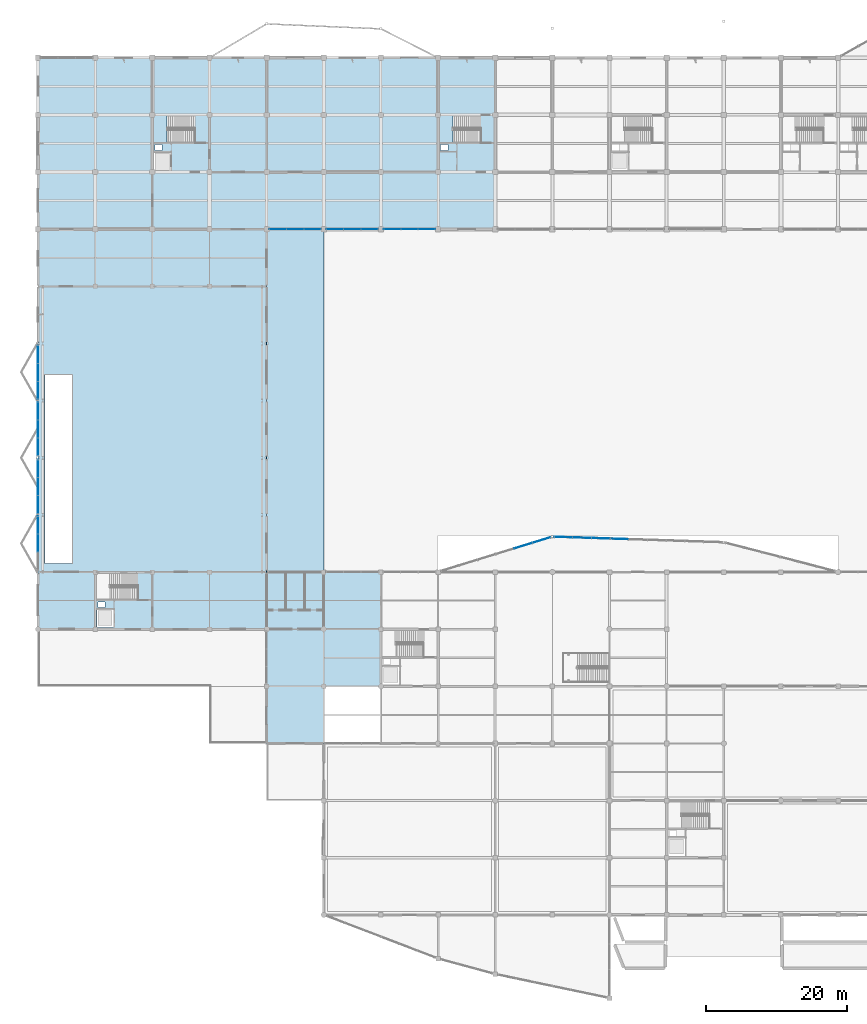
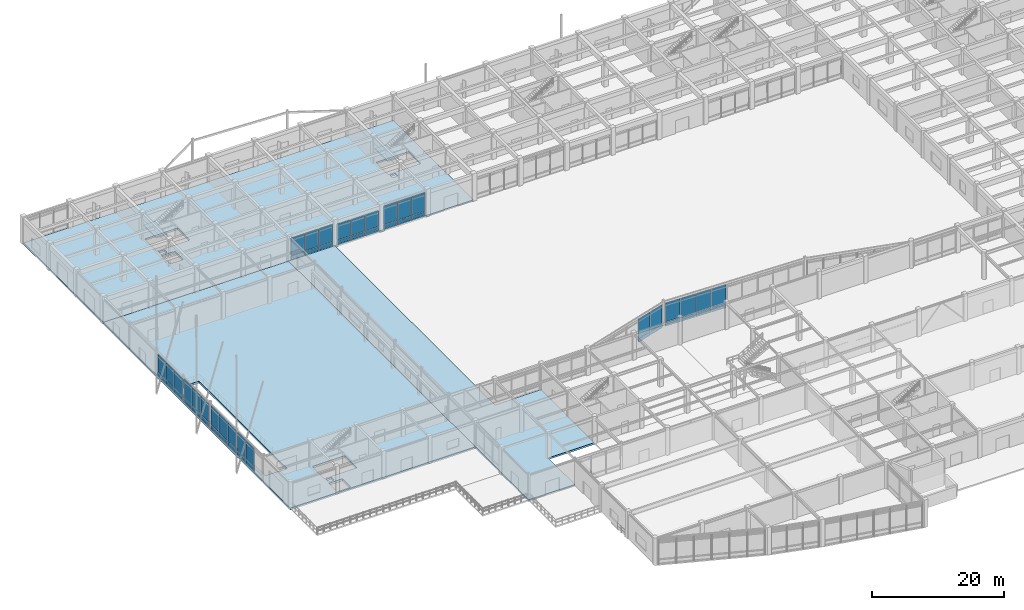
# One storey, part 53 of 99: 52 plates, 5 slabs, 12 elements without a shape of their own.
"""IFC4 building model written with IfcOpenShell, lengths in metres."""

from ifc_helpers import new_model, si_unit, direction, frame, origin, origin_2d, place, context, subcontext, project, spatial, polyline, rectangle, outline, extrude, material, layer, layer_set, type_object, element, aggregate, save


model = new_model("IFC4")

# Units and contexts
model_context = context("Model", 3, precision=1e-05, world=origin(), true_north=direction((0.0, 1.0)))
body_context = subcontext(model_context, "Body", "Model", "MODEL_VIEW")
ifc_project = project(units=[si_unit("LENGTHUNIT", "METRE"), si_unit("AREAUNIT", "SQUARE_METRE"), si_unit("VOLUMEUNIT", "CUBIC_METRE"), si_unit("PLANEANGLEUNIT", "RADIAN"), si_unit("MASSUNIT", "GRAM", prefix="KILO")], contexts=[model_context])

# Site, building, storey
site_placement = place(None, origin())
site = spatial("IfcSite", under=ifc_project, at=site_placement, CompositionType="ELEMENT")
building_placement = place(site_placement, origin())
building = spatial("IfcBuilding", under=site, at=building_placement, Name="Vaudrelin Polytechnic", CompositionType="ELEMENT")
storey_placement = place(building_placement, origin())
storey = spatial("IfcBuildingStorey", under=building, at=storey_placement, Name="L00", CompositionType="ELEMENT", Elevation=0.0)

# Curtain wall, plates
ifc_material_1 = material(Name="Thermally broken anodised aluminium AA 6063-T6 and low-e triple glazing", Category="aluminium")
ifc_layer_1 = layer(ifc_material_1, 0.199951171875)
ifc_layer_set_1 = layer_set([ifc_layer_1], Name="Thermally broken anodised aluminium AA 6063-T6 and low-e triple glazing")
curtain_wall_type_1 = type_object("IfcCurtainWallType", Name="CW-CW-POR", PredefinedType="USERDEFINED", material=ifc_layer_set_1)
curtain_wall_1_placement = place(storey_placement, origin())
curtain_wall_1 = element("IfcCurtainWall", 1, at=curtain_wall_1_placement, inside=storey, type_object=curtain_wall_type_1, Name="Curtain wall L00 W_V1_01", ObjectType="CURTAIN WALL", PredefinedType="USERDEFINED")
ifc_material_2 = material(Name="Insulated ceramic-frit spandrel glass panel", Category="glass")
ifc_layer_2 = layer(ifc_material_2, 0.052001953125)
ifc_layer_set_2 = layer_set([ifc_layer_2], Name="Insulated ceramic-frit spandrel glass panel")
plate_type_1 = type_object("IfcPlateType", Name="PLT-GLZ-SPAND", PredefinedType="CURTAIN_PANEL", material=ifc_layer_set_2)
plate_1_placement = place(storey_placement, frame((0.0, 52.688720703125, 0.08984375), z_axis=(0.0, 0.0, 1.0), x_axis=(0.0, 1.0, 0.0)))
plate_1 = element("IfcPlate", 2, at=plate_1_placement, type_object=plate_type_1, Name="W_V1_01 spandrel panel 2", PredefinedType="CURTAIN_PANEL", context=body_context, shape_type="SweptSolid", body=[
    extrude(rectangle(XDim=2.457763671875, YDim=0.052001953125, at=origin_2d()), origin(), (0.0, 0.0, 1.0), 0.699951171875),
])
plate_2_placement = place(storey_placement, frame((0.0, 55.24658203125, 0.08984375), z_axis=(0.0, 0.0, 1.0), x_axis=(0.0, 1.0, 0.0)))
plate_2 = element("IfcPlate", 3, at=plate_2_placement, type_object=plate_type_1, Name="W_V1_01 spandrel panel 3", PredefinedType="CURTAIN_PANEL", context=body_context, shape_type="SweptSolid", body=[
    extrude(rectangle(XDim=2.457763671875, YDim=0.052001953125, at=origin_2d()), origin(), (0.0, 0.0, 1.0), 0.699951171875),
])

curtain_wall_2_placement = place(storey_placement, origin())
curtain_wall_2 = element("IfcCurtainWall", 4, at=curtain_wall_2_placement, inside=storey, type_object=curtain_wall_type_1, Name="Curtain wall L00 W_V1_02", ObjectType="CURTAIN WALL", PredefinedType="USERDEFINED")
plate_3_placement = place(storey_placement, frame((0.0, 58.1533203125, 0.08984375), z_axis=(0.0, 0.0, 1.0), x_axis=(0.0, 1.0, 0.0)))
plate_3 = element("IfcPlate", 5, at=plate_3_placement, type_object=plate_type_1, Name="W_V1_02 spandrel panel 1", PredefinedType="CURTAIN_PANEL", context=body_context, shape_type="SweptSolid", body=[
    extrude(rectangle(XDim=2.457763671875, YDim=0.052001953125, at=origin_2d()), origin(), (0.0, 0.0, 1.0), 0.699951171875),
])
plate_4_placement = place(storey_placement, frame((0.0, 60.711181640625, 0.08984375), z_axis=(0.0, 0.0, 1.0), x_axis=(0.0, 1.0, 0.0)))
plate_4 = element("IfcPlate", 6, at=plate_4_placement, type_object=plate_type_1, Name="W_V1_02 spandrel panel 2", PredefinedType="CURTAIN_PANEL", context=body_context, shape_type="SweptSolid", body=[
    extrude(rectangle(XDim=2.457763671875, YDim=0.052001953125, at=origin_2d()), origin(), (0.0, 0.0, 1.0), 0.699951171875),
])
plate_5_placement = place(storey_placement, frame((0.0, 63.26904296875, 0.08984375), z_axis=(0.0, 0.0, 1.0), x_axis=(0.0, 1.0, 0.0)))
plate_5 = element("IfcPlate", 7, at=plate_5_placement, type_object=plate_type_1, Name="W_V1_02 spandrel panel 3", PredefinedType="CURTAIN_PANEL", context=body_context, shape_type="SweptSolid", body=[
    extrude(rectangle(XDim=2.457763671875, YDim=0.052001953125, at=origin_2d()), origin(), (0.0, 0.0, 1.0), 0.699951171875),
])

curtain_wall_3_placement = place(storey_placement, origin())
curtain_wall_3 = element("IfcCurtainWall", 8, at=curtain_wall_3_placement, inside=storey, type_object=curtain_wall_type_1, Name="Curtain wall L00 W_V1_03", ObjectType="CURTAIN WALL", PredefinedType="USERDEFINED")
plate_6_placement = place(storey_placement, frame((0.0, 66.330810546875, 0.08984375), z_axis=(0.0, 0.0, 1.0), x_axis=(0.0, 1.0, 0.0)))
plate_6 = element("IfcPlate", 9, at=plate_6_placement, type_object=plate_type_1, Name="W_V1_03 spandrel panel 1", PredefinedType="CURTAIN_PANEL", context=body_context, shape_type="SweptSolid", body=[
    extrude(rectangle(XDim=2.457763671875, YDim=0.052001953125, at=origin_2d()), origin(), (0.0, 0.0, 1.0), 0.699951171875),
])
plate_7_placement = place(storey_placement, frame((0.0, 68.888916015625, 0.08984375), z_axis=(0.0, 0.0, 1.0), x_axis=(0.0, 1.0, 0.0)))
plate_7 = element("IfcPlate", 10, at=plate_7_placement, type_object=plate_type_1, Name="W_V1_03 spandrel panel 2", PredefinedType="CURTAIN_PANEL", context=body_context, shape_type="SweptSolid", body=[
    extrude(rectangle(XDim=2.457763671875, YDim=0.052001953125, at=origin_2d()), origin(), (0.0, 0.0, 1.0), 0.699951171875),
])
plate_8_placement = place(storey_placement, frame((0.0, 71.446533203125, 0.08984375), z_axis=(0.0, 0.0, 1.0), x_axis=(0.0, 1.0, 0.0)))
plate_8 = element("IfcPlate", 11, at=plate_8_placement, type_object=plate_type_1, Name="W_V1_03 spandrel panel 3", PredefinedType="CURTAIN_PANEL", context=body_context, shape_type="SweptSolid", body=[
    extrude(rectangle(XDim=2.457763671875, YDim=0.052001953125, at=origin_2d()), origin(), (0.0, 0.0, 1.0), 0.699951171875),
])

curtain_wall_4_placement = place(storey_placement, origin())
curtain_wall_4 = element("IfcCurtainWall", 12, at=curtain_wall_4_placement, inside=storey, type_object=curtain_wall_type_1, Name="Curtain wall L00 W_V1_04", ObjectType="CURTAIN WALL", PredefinedType="USERDEFINED")
plate_9_placement = place(storey_placement, frame((0.0, 74.353515625, 0.08984375), z_axis=(0.0, 0.0, 1.0), x_axis=(0.0, 1.0, 0.0)))
plate_9 = element("IfcPlate", 13, at=plate_9_placement, type_object=plate_type_1, Name="W_V1_04 spandrel panel 1", PredefinedType="CURTAIN_PANEL", context=body_context, shape_type="SweptSolid", body=[
    extrude(rectangle(XDim=2.457763671875, YDim=0.052001953125, at=origin_2d()), origin(), (0.0, 0.0, 1.0), 0.699951171875),
])
plate_10_placement = place(storey_placement, frame((0.0, 76.9111328125, 0.08984375), z_axis=(0.0, 0.0, 1.0), x_axis=(0.0, 1.0, 0.0)))
plate_10 = element("IfcPlate", 14, at=plate_10_placement, type_object=plate_type_1, Name="W_V1_04 spandrel panel 2", PredefinedType="CURTAIN_PANEL", context=body_context, shape_type="SweptSolid", body=[
    extrude(rectangle(XDim=2.457763671875, YDim=0.052001953125, at=origin_2d()), origin(), (0.0, 0.0, 1.0), 0.699951171875),
])
plate_11_placement = place(storey_placement, frame((0.0, 79.468994140625, 0.08984375), z_axis=(0.0, 0.0, 1.0), x_axis=(0.0, 1.0, 0.0)))
plate_11 = element("IfcPlate", 15, at=plate_11_placement, type_object=plate_type_1, Name="W_V1_04 spandrel panel 3", PredefinedType="CURTAIN_PANEL", context=body_context, shape_type="SweptSolid", body=[
    extrude(rectangle(XDim=2.457763671875, YDim=0.052001953125, at=origin_2d()), origin(), (0.0, 0.0, 1.0), 0.699951171875),
])

ifc_layer_3 = layer(ifc_material_1, 0.199951171875)
ifc_layer_set_3 = layer_set([ifc_layer_3], Name="Thermally broken anodised aluminium AA 6063-T6 and low-e triple glazing")
curtain_wall_type_2 = type_object("IfcCurtainWallType", Name="CW-CW-LIB", PredefinedType="USERDEFINED", material=ifc_layer_set_3)
curtain_wall_5_placement = place(storey_placement, origin())
curtain_wall_5 = element("IfcCurtainWall", 16, at=curtain_wall_5_placement, inside=storey, type_object=curtain_wall_type_2, Name="Curtain wall L00 CT_N_00", ObjectType="CURTAIN WALL", PredefinedType="USERDEFINED")
plate_12_placement = place(storey_placement, frame((33.998779296875, 97.199951171875, 0.08984375), z_axis=(0.0, 0.0, 1.0), x_axis=(1.0, 0.0, 0.0)))
plate_12 = element("IfcPlate", 17, at=plate_12_placement, type_object=plate_type_1, Name="CT_N_00 spandrel panel 1", PredefinedType="CURTAIN_PANEL", context=body_context, shape_type="SweptSolid", body=[
    extrude(rectangle(XDim=2.351318359375, YDim=0.052001953125, at=origin_2d()), origin(), (0.0, 0.0, 1.0), 0.699951171875),
])
plate_13_placement = place(storey_placement, frame((36.449951171875, 97.199951171875, 0.08984375), z_axis=(0.0, 0.0, 1.0), x_axis=(1.0, 0.0, 0.0)))
plate_13 = element("IfcPlate", 18, at=plate_13_placement, type_object=plate_type_1, Name="CT_N_00 spandrel panel 2", PredefinedType="CURTAIN_PANEL", context=body_context, shape_type="SweptSolid", body=[
    extrude(rectangle(XDim=2.351318359375, YDim=0.052001953125, at=origin_2d()), origin(), (0.0, 0.0, 1.0), 0.699951171875),
])
plate_14_placement = place(storey_placement, frame((38.9013671875, 97.199951171875, 0.08984375), z_axis=(0.0, 0.0, 1.0), x_axis=(1.0, 0.0, 0.0)))
plate_14 = element("IfcPlate", 19, at=plate_14_placement, type_object=plate_type_1, Name="CT_N_00 spandrel panel 3", PredefinedType="CURTAIN_PANEL", context=body_context, shape_type="SweptSolid", body=[
    extrude(rectangle(XDim=2.351318359375, YDim=0.052001953125, at=origin_2d()), origin(), (0.0, 0.0, 1.0), 0.699951171875),
])

curtain_wall_6_placement = place(storey_placement, origin())
curtain_wall_6 = element("IfcCurtainWall", 20, at=curtain_wall_6_placement, inside=storey, type_object=curtain_wall_type_2, Name="Curtain wall L00 CT_N_01", ObjectType="CURTAIN WALL", PredefinedType="USERDEFINED")
plate_15_placement = place(storey_placement, frame((42.0986328125, 97.199951171875, 0.08984375), z_axis=(0.0, 0.0, 1.0), x_axis=(1.0, 0.0, 0.0)))
plate_15 = element("IfcPlate", 21, at=plate_15_placement, type_object=plate_type_1, Name="CT_N_01 spandrel panel 1", PredefinedType="CURTAIN_PANEL", context=body_context, shape_type="SweptSolid", body=[
    extrude(rectangle(XDim=2.351318359375, YDim=0.052001953125, at=origin_2d()), origin(), (0.0, 0.0, 1.0), 0.699951171875),
])
plate_16_placement = place(storey_placement, frame((44.550048828125, 97.199951171875, 0.08984375), z_axis=(0.0, 0.0, 1.0), x_axis=(1.0, 0.0, 0.0)))
plate_16 = element("IfcPlate", 22, at=plate_16_placement, type_object=plate_type_1, Name="CT_N_01 spandrel panel 2", PredefinedType="CURTAIN_PANEL", context=body_context, shape_type="SweptSolid", body=[
    extrude(rectangle(XDim=2.351318359375, YDim=0.052001953125, at=origin_2d()), origin(), (0.0, 0.0, 1.0), 0.699951171875),
])
plate_17_placement = place(storey_placement, frame((47.001220703125, 97.199951171875, 0.08984375), z_axis=(0.0, 0.0, 1.0), x_axis=(1.0, 0.0, 0.0)))
plate_17 = element("IfcPlate", 23, at=plate_17_placement, type_object=plate_type_1, Name="CT_N_01 spandrel panel 3", PredefinedType="CURTAIN_PANEL", context=body_context, shape_type="SweptSolid", body=[
    extrude(rectangle(XDim=2.351318359375, YDim=0.052001953125, at=origin_2d()), origin(), (0.0, 0.0, 1.0), 0.699951171875),
])

curtain_wall_7_placement = place(storey_placement, origin())
curtain_wall_7 = element("IfcCurtainWall", 24, at=curtain_wall_7_placement, inside=storey, type_object=curtain_wall_type_2, Name="Curtain wall L00 CT_N_02", ObjectType="CURTAIN WALL", PredefinedType="USERDEFINED")
plate_18_placement = place(storey_placement, frame((50.19873046875, 97.199951171875, 0.08984375), z_axis=(0.0, 0.0, 1.0), x_axis=(1.0, 0.0, 0.0)))
plate_18 = element("IfcPlate", 25, at=plate_18_placement, type_object=plate_type_1, Name="CT_N_02 spandrel panel 1", PredefinedType="CURTAIN_PANEL", context=body_context, shape_type="SweptSolid", body=[
    extrude(rectangle(XDim=2.351318359375, YDim=0.052001953125, at=origin_2d()), origin(), (0.0, 0.0, 1.0), 0.699951171875),
])
plate_19_placement = place(storey_placement, frame((52.64990234375, 97.199951171875, 0.08984375), z_axis=(0.0, 0.0, 1.0), x_axis=(1.0, 0.0, 0.0)))
plate_19 = element("IfcPlate", 26, at=plate_19_placement, type_object=plate_type_1, Name="CT_N_02 spandrel panel 2", PredefinedType="CURTAIN_PANEL", context=body_context, shape_type="SweptSolid", body=[
    extrude(rectangle(XDim=2.351318359375, YDim=0.052001953125, at=origin_2d()), origin(), (0.0, 0.0, 1.0), 0.699951171875),
])
plate_20_placement = place(storey_placement, frame((55.101318359375, 97.199951171875, 0.08984375), z_axis=(0.0, 0.0, 1.0), x_axis=(1.0, 0.0, 0.0)))
plate_20 = element("IfcPlate", 27, at=plate_20_placement, type_object=plate_type_1, Name="CT_N_02 spandrel panel 3", PredefinedType="CURTAIN_PANEL", context=body_context, shape_type="SweptSolid", body=[
    extrude(rectangle(XDim=2.351318359375, YDim=0.052001953125, at=origin_2d()), origin(), (0.0, 0.0, 1.0), 0.699951171875),
])

ifc_layer_4 = layer(ifc_material_1, 0.199951171875)
ifc_layer_set_4 = layer_set([ifc_layer_4], Name="Thermally broken anodised aluminium AA 6063-T6 and low-e triple glazing")
curtain_wall_type_3 = type_object("IfcCurtainWallType", Name="CW-CW-WG", PredefinedType="USERDEFINED", material=ifc_layer_set_4)
curtain_wall_8_placement = place(storey_placement, origin())
curtain_wall_8 = element("IfcCurtainWall", 28, at=curtain_wall_8_placement, inside=storey, type_object=curtain_wall_type_3, Name="Curtain wall L00 CT_OR1_1_1", ObjectType="CURTAIN WALL", PredefinedType="USERDEFINED")
plate_21_placement = place(storey_placement, frame((68.7763671875, 52.327392578125, 0.08984375), z_axis=(0.0, 0.0, 1.0), x_axis=(0.955521323277, 0.294922024887, 0.0)))
plate_21 = element("IfcPlate", 29, at=plate_21_placement, type_object=plate_type_1, Name="CT_OR1_1_1 spandrel panel 2", PredefinedType="CURTAIN_PANEL", context=body_context, shape_type="SweptSolid", body=[
    extrude(rectangle(XDim=2.614013671875, YDim=0.052001953125, at=origin_2d()), origin(), (0.0, 0.0, 1.0), 0.699951171875),
])
plate_22_placement = place(storey_placement, frame((71.36962890625, 53.127685546875, 0.08984375), z_axis=(0.0, 0.0, 1.0), x_axis=(0.955521323277, 0.294922024887, 0.0)))
plate_22 = element("IfcPlate", 30, at=plate_22_placement, type_object=plate_type_1, Name="CT_OR1_1_1 spandrel panel 3", PredefinedType="CURTAIN_PANEL", context=body_context, shape_type="SweptSolid", body=[
    extrude(rectangle(XDim=2.614013671875, YDim=0.052001953125, at=origin_2d()), origin(), (0.0, 0.0, 1.0), 0.699951171875),
])

curtain_wall_9_placement = place(storey_placement, origin())
curtain_wall_9 = element("IfcCurtainWall", 31, at=curtain_wall_9_placement, inside=storey, type_object=curtain_wall_type_3, Name="Curtain wall L00 CT_OR1_2_0", ObjectType="CURTAIN WALL", PredefinedType="USERDEFINED")
plate_23_placement = place(storey_placement, frame((74.461181640625, 53.548583984375, 0.08984375), z_axis=(0.0, 0.0, 1.0), x_axis=(0.999458331652, -0.032909623096, 0.0)))
plate_23 = element("IfcPlate", 32, at=plate_23_placement, type_object=plate_type_1, Name="CT_OR1_2_0 spandrel panel 1", PredefinedType="CURTAIN_PANEL", context=body_context, shape_type="SweptSolid", body=[
    extrude(rectangle(XDim=2.548583984375, YDim=0.052001953125, at=origin_2d()), origin(), (0.0, 0.0, 1.0), 0.699951171875),
])
plate_24_placement = place(storey_placement, frame((77.1083984375, 53.46142578125, 0.08984375), z_axis=(0.0, 0.0, 1.0), x_axis=(0.999458331652, -0.032909623096, 0.0)))
plate_24 = element("IfcPlate", 33, at=plate_24_placement, type_object=plate_type_1, Name="CT_OR1_2_0 spandrel panel 2", PredefinedType="CURTAIN_PANEL", context=body_context, shape_type="SweptSolid", body=[
    extrude(rectangle(XDim=2.548583984375, YDim=0.052001953125, at=origin_2d()), origin(), (0.0, 0.0, 1.0), 0.699951171875),
])
plate_25_placement = place(storey_placement, frame((79.755615234375, 53.374267578125, 0.08984375), z_axis=(0.0, 0.0, 1.0), x_axis=(0.999458331652, -0.032909623096, 0.0)))
plate_25 = element("IfcPlate", 34, at=plate_25_placement, type_object=plate_type_1, Name="CT_OR1_2_0 spandrel panel 3", PredefinedType="CURTAIN_PANEL", context=body_context, shape_type="SweptSolid", body=[
    extrude(rectangle(XDim=2.548583984375, YDim=0.052001953125, at=origin_2d()), origin(), (0.0, 0.0, 1.0), 0.699951171875),
])

# Curtain wall, plate
curtain_wall_10_placement = place(storey_placement, origin())
curtain_wall_10 = element("IfcCurtainWall", 35, at=curtain_wall_10_placement, inside=storey, type_object=curtain_wall_type_3, Name="Curtain wall L00 CT_OR1_2_1", ObjectType="CURTAIN WALL", PredefinedType="USERDEFINED")
plate_26_placement = place(storey_placement, frame((82.40283203125, 53.287109375, 0.08984375), z_axis=(0.0, 0.0, 1.0), x_axis=(0.999458731894, -0.032897465558, 0.0)))
plate_26 = element("IfcPlate", 36, at=plate_26_placement, type_object=plate_type_1, Name="CT_OR1_2_1 spandrel panel 1", PredefinedType="CURTAIN_PANEL", context=body_context, shape_type="SweptSolid", body=[
    extrude(rectangle(XDim=2.548583984375, YDim=0.052001953125, at=origin_2d()), origin(), (0.0, 0.0, 1.0), 0.699951171875),
])

# Plate
ifc_material_3 = material(Name="Triple low-e argon insulated glazing unit", Category="glass")
ifc_layer_5 = layer(ifc_material_3, 0.0439453125)
ifc_layer_set_5 = layer_set([ifc_layer_5], Name="Triple low-e argon insulated glazing unit")
plate_type_2 = type_object("IfcPlateType", Name="PLT-GLZ-TRIPLE", PredefinedType="CURTAIN_PANEL", material=ifc_layer_set_5)
plate_27_placement = place(storey_placement, frame((0.0, 52.688720703125, 0.900146484375), z_axis=(0.0, 0.0, 1.0), x_axis=(0.0, 1.0, 0.0)))
plate_27 = element("IfcPlate", 37, at=plate_27_placement, type_object=plate_type_2, Name="W_V1_01 vision panel 2", PredefinedType="CURTAIN_PANEL", context=body_context, shape_type="SweptSolid", body=[
    extrude(rectangle(XDim=2.457763671875, YDim=0.0439453125, at=origin_2d()), origin(), (0.0, 0.0, 1.0), 3.5048828125),
])

plate_28_placement = place(storey_placement, frame((0.0, 55.24658203125, 0.900146484375), z_axis=(0.0, 0.0, 1.0), x_axis=(0.0, 1.0, 0.0)))
plate_28 = element("IfcPlate", 38, at=plate_28_placement, type_object=plate_type_2, Name="W_V1_01 vision panel 3", PredefinedType="CURTAIN_PANEL", context=body_context, shape_type="SweptSolid", body=[
    extrude(rectangle(XDim=2.457763671875, YDim=0.0439453125, at=origin_2d()), origin(), (0.0, 0.0, 1.0), 3.5048828125),
])

aggregate(curtain_wall_1, [plate_1, plate_27, plate_2, plate_28])

plate_29_placement = place(storey_placement, frame((0.0, 58.1533203125, 0.89990234375), z_axis=(0.0, 0.0, 1.0), x_axis=(0.0, 1.0, 0.0)))
plate_29 = element("IfcPlate", 39, at=plate_29_placement, type_object=plate_type_2, Name="W_V1_02 vision panel 1", PredefinedType="CURTAIN_PANEL", context=body_context, shape_type="SweptSolid", body=[
    extrude(rectangle(XDim=2.457763671875, YDim=0.0439453125, at=origin_2d()), origin(), (0.0, 0.0, 1.0), 3.555908203125),
])

plate_30_placement = place(storey_placement, frame((0.0, 60.711181640625, 0.89990234375), z_axis=(0.0, 0.0, 1.0), x_axis=(0.0, 1.0, 0.0)))
plate_30 = element("IfcPlate", 40, at=plate_30_placement, type_object=plate_type_2, Name="W_V1_02 vision panel 2", PredefinedType="CURTAIN_PANEL", context=body_context, shape_type="SweptSolid", body=[
    extrude(rectangle(XDim=2.457763671875, YDim=0.0439453125, at=origin_2d()), origin(), (0.0, 0.0, 1.0), 3.555908203125),
])

plate_31_placement = place(storey_placement, frame((0.0, 63.26904296875, 0.89990234375), z_axis=(0.0, 0.0, 1.0), x_axis=(0.0, 1.0, 0.0)))
plate_31 = element("IfcPlate", 41, at=plate_31_placement, type_object=plate_type_2, Name="W_V1_02 vision panel 3", PredefinedType="CURTAIN_PANEL", context=body_context, shape_type="SweptSolid", body=[
    extrude(rectangle(XDim=2.457763671875, YDim=0.0439453125, at=origin_2d()), origin(), (0.0, 0.0, 1.0), 3.555908203125),
])

aggregate(curtain_wall_2, [plate_3, plate_29, plate_4, plate_30, plate_5, plate_31])

plate_32_placement = place(storey_placement, frame((0.0, 66.330810546875, 0.89990234375), z_axis=(0.0, 0.0, 1.0), x_axis=(0.0, 1.0, 0.0)))
plate_32 = element("IfcPlate", 42, at=plate_32_placement, type_object=plate_type_2, Name="W_V1_03 vision panel 1", PredefinedType="CURTAIN_PANEL", context=body_context, shape_type="SweptSolid", body=[
    extrude(rectangle(XDim=2.457763671875, YDim=0.0439453125, at=origin_2d()), origin(), (0.0, 0.0, 1.0), 3.51708984375),
])

plate_33_placement = place(storey_placement, frame((0.0, 68.888916015625, 0.89990234375), z_axis=(0.0, 0.0, 1.0), x_axis=(0.0, 1.0, 0.0)))
plate_33 = element("IfcPlate", 43, at=plate_33_placement, type_object=plate_type_2, Name="W_V1_03 vision panel 2", PredefinedType="CURTAIN_PANEL", context=body_context, shape_type="SweptSolid", body=[
    extrude(rectangle(XDim=2.457763671875, YDim=0.0439453125, at=origin_2d()), origin(), (0.0, 0.0, 1.0), 3.51708984375),
])

plate_34_placement = place(storey_placement, frame((0.0, 71.446533203125, 0.89990234375), z_axis=(0.0, 0.0, 1.0), x_axis=(0.0, 1.0, 0.0)))
plate_34 = element("IfcPlate", 44, at=plate_34_placement, type_object=plate_type_2, Name="W_V1_03 vision panel 3", PredefinedType="CURTAIN_PANEL", context=body_context, shape_type="SweptSolid", body=[
    extrude(rectangle(XDim=2.457763671875, YDim=0.0439453125, at=origin_2d()), origin(), (0.0, 0.0, 1.0), 3.51708984375),
])

aggregate(curtain_wall_3, [plate_6, plate_32, plate_7, plate_33, plate_8, plate_34])

plate_35_placement = place(storey_placement, frame((0.0, 74.353515625, 0.900146484375), z_axis=(0.0, 0.0, 1.0), x_axis=(0.0, 1.0, 0.0)))
plate_35 = element("IfcPlate", 45, at=plate_35_placement, type_object=plate_type_2, Name="W_V1_04 vision panel 1", PredefinedType="CURTAIN_PANEL", context=body_context, shape_type="SweptSolid", body=[
    extrude(rectangle(XDim=2.457763671875, YDim=0.0439453125, at=origin_2d()), origin(), (0.0, 0.0, 1.0), 3.27294921875),
])

plate_36_placement = place(storey_placement, frame((0.0, 76.9111328125, 0.900146484375), z_axis=(0.0, 0.0, 1.0), x_axis=(0.0, 1.0, 0.0)))
plate_36 = element("IfcPlate", 46, at=plate_36_placement, type_object=plate_type_2, Name="W_V1_04 vision panel 2", PredefinedType="CURTAIN_PANEL", context=body_context, shape_type="SweptSolid", body=[
    extrude(rectangle(XDim=2.457763671875, YDim=0.0439453125, at=origin_2d()), origin(), (0.0, 0.0, 1.0), 3.27294921875),
])

plate_37_placement = place(storey_placement, frame((0.0, 79.468994140625, 0.900146484375), z_axis=(0.0, 0.0, 1.0), x_axis=(0.0, 1.0, 0.0)))
plate_37 = element("IfcPlate", 47, at=plate_37_placement, type_object=plate_type_2, Name="W_V1_04 vision panel 3", PredefinedType="CURTAIN_PANEL", context=body_context, shape_type="SweptSolid", body=[
    extrude(rectangle(XDim=2.457763671875, YDim=0.0439453125, at=origin_2d()), origin(), (0.0, 0.0, 1.0), 3.27294921875),
])

aggregate(curtain_wall_4, [plate_9, plate_35, plate_10, plate_36, plate_11, plate_37])

plate_38_placement = place(storey_placement, frame((33.998779296875, 97.199951171875, 0.89990234375), z_axis=(0.0, 0.0, 1.0), x_axis=(1.0, 0.0, 0.0)))
plate_38 = element("IfcPlate", 48, at=plate_38_placement, type_object=plate_type_2, Name="CT_N_00 vision panel 1", PredefinedType="CURTAIN_PANEL", context=body_context, shape_type="SweptSolid", body=[
    extrude(rectangle(XDim=2.351318359375, YDim=0.0439453125, at=origin_2d()), origin(), (0.0, 0.0, 1.0), 3.221923828125),
])

plate_39_placement = place(storey_placement, frame((36.449951171875, 97.199951171875, 0.89990234375), z_axis=(0.0, 0.0, 1.0), x_axis=(1.0, 0.0, 0.0)))
plate_39 = element("IfcPlate", 49, at=plate_39_placement, type_object=plate_type_2, Name="CT_N_00 vision panel 2", PredefinedType="CURTAIN_PANEL", context=body_context, shape_type="SweptSolid", body=[
    extrude(rectangle(XDim=2.351318359375, YDim=0.0439453125, at=origin_2d()), origin(), (0.0, 0.0, 1.0), 3.221923828125),
])

plate_40_placement = place(storey_placement, frame((38.9013671875, 97.199951171875, 0.89990234375), z_axis=(0.0, 0.0, 1.0), x_axis=(1.0, 0.0, 0.0)))
plate_40 = element("IfcPlate", 50, at=plate_40_placement, type_object=plate_type_2, Name="CT_N_00 vision panel 3", PredefinedType="CURTAIN_PANEL", context=body_context, shape_type="SweptSolid", body=[
    extrude(rectangle(XDim=2.351318359375, YDim=0.0439453125, at=origin_2d()), origin(), (0.0, 0.0, 1.0), 3.221923828125),
])

aggregate(curtain_wall_5, [plate_12, plate_38, plate_13, plate_39, plate_14, plate_40])

plate_41_placement = place(storey_placement, frame((42.0986328125, 97.199951171875, 0.89990234375), z_axis=(0.0, 0.0, 1.0), x_axis=(1.0, 0.0, 0.0)))
plate_41 = element("IfcPlate", 51, at=plate_41_placement, type_object=plate_type_2, Name="CT_N_01 vision panel 1", PredefinedType="CURTAIN_PANEL", context=body_context, shape_type="SweptSolid", body=[
    extrude(rectangle(XDim=2.351318359375, YDim=0.0439453125, at=origin_2d()), origin(), (0.0, 0.0, 1.0), 2.971923828125),
])

plate_42_placement = place(storey_placement, frame((44.550048828125, 97.199951171875, 0.89990234375), z_axis=(0.0, 0.0, 1.0), x_axis=(1.0, 0.0, 0.0)))
plate_42 = element("IfcPlate", 52, at=plate_42_placement, type_object=plate_type_2, Name="CT_N_01 vision panel 2", PredefinedType="CURTAIN_PANEL", context=body_context, shape_type="SweptSolid", body=[
    extrude(rectangle(XDim=2.351318359375, YDim=0.0439453125, at=origin_2d()), origin(), (0.0, 0.0, 1.0), 2.971923828125),
])

plate_43_placement = place(storey_placement, frame((47.001220703125, 97.199951171875, 0.89990234375), z_axis=(0.0, 0.0, 1.0), x_axis=(1.0, 0.0, 0.0)))
plate_43 = element("IfcPlate", 53, at=plate_43_placement, type_object=plate_type_2, Name="CT_N_01 vision panel 3", PredefinedType="CURTAIN_PANEL", context=body_context, shape_type="SweptSolid", body=[
    extrude(rectangle(XDim=2.351318359375, YDim=0.0439453125, at=origin_2d()), origin(), (0.0, 0.0, 1.0), 2.971923828125),
])

aggregate(curtain_wall_6, [plate_15, plate_41, plate_16, plate_42, plate_17, plate_43])

plate_44_placement = place(storey_placement, frame((50.19873046875, 97.199951171875, 0.89990234375), z_axis=(0.0, 0.0, 1.0), x_axis=(1.0, 0.0, 0.0)))
plate_44 = element("IfcPlate", 54, at=plate_44_placement, type_object=plate_type_2, Name="CT_N_02 vision panel 1", PredefinedType="CURTAIN_PANEL", context=body_context, shape_type="SweptSolid", body=[
    extrude(rectangle(XDim=2.351318359375, YDim=0.0439453125, at=origin_2d()), origin(), (0.0, 0.0, 1.0), 3.406982421875),
])

plate_45_placement = place(storey_placement, frame((52.64990234375, 97.199951171875, 0.89990234375), z_axis=(0.0, 0.0, 1.0), x_axis=(1.0, 0.0, 0.0)))
plate_45 = element("IfcPlate", 55, at=plate_45_placement, type_object=plate_type_2, Name="CT_N_02 vision panel 2", PredefinedType="CURTAIN_PANEL", context=body_context, shape_type="SweptSolid", body=[
    extrude(rectangle(XDim=2.351318359375, YDim=0.0439453125, at=origin_2d()), origin(), (0.0, 0.0, 1.0), 3.406982421875),
])

plate_46_placement = place(storey_placement, frame((55.101318359375, 97.199951171875, 0.89990234375), z_axis=(0.0, 0.0, 1.0), x_axis=(1.0, 0.0, 0.0)))
plate_46 = element("IfcPlate", 56, at=plate_46_placement, type_object=plate_type_2, Name="CT_N_02 vision panel 3", PredefinedType="CURTAIN_PANEL", context=body_context, shape_type="SweptSolid", body=[
    extrude(rectangle(XDim=2.351318359375, YDim=0.0439453125, at=origin_2d()), origin(), (0.0, 0.0, 1.0), 3.406982421875),
])

aggregate(curtain_wall_7, [plate_18, plate_44, plate_19, plate_45, plate_20, plate_46])

plate_47_placement = place(storey_placement, frame((68.7763671875, 52.327392578125, 0.89990234375), z_axis=(0.0, 0.0, 1.0), x_axis=(0.955521323277, 0.294922024887, 0.0)))
plate_47 = element("IfcPlate", 57, at=plate_47_placement, type_object=plate_type_2, Name="CT_OR1_1_1 vision panel 2", PredefinedType="CURTAIN_PANEL", context=body_context, shape_type="SweptSolid", body=[
    extrude(rectangle(XDim=2.614013671875, YDim=0.0439453125, at=origin_2d()), origin(), (0.0, 0.0, 1.0), 3.489990234375),
])

plate_48_placement = place(storey_placement, frame((71.36962890625, 53.127685546875, 0.89990234375), z_axis=(0.0, 0.0, 1.0), x_axis=(0.955521323277, 0.294922024887, 0.0)))
plate_48 = element("IfcPlate", 58, at=plate_48_placement, type_object=plate_type_2, Name="CT_OR1_1_1 vision panel 3", PredefinedType="CURTAIN_PANEL", context=body_context, shape_type="SweptSolid", body=[
    extrude(rectangle(XDim=2.614013671875, YDim=0.0439453125, at=origin_2d()), origin(), (0.0, 0.0, 1.0), 3.489990234375),
])

aggregate(curtain_wall_8, [plate_21, plate_47, plate_22, plate_48])

plate_49_placement = place(storey_placement, frame((74.461181640625, 53.548583984375, 0.89990234375), z_axis=(0.0, 0.0, 1.0), x_axis=(0.999458331652, -0.032909623096, 0.0)))
plate_49 = element("IfcPlate", 59, at=plate_49_placement, type_object=plate_type_2, Name="CT_OR1_2_0 vision panel 1", PredefinedType="CURTAIN_PANEL", context=body_context, shape_type="SweptSolid", body=[
    extrude(rectangle(XDim=2.548583984375, YDim=0.0439453125, at=origin_2d()), origin(), (0.0, 0.0, 1.0), 3.489990234375),
])

plate_50_placement = place(storey_placement, frame((77.1083984375, 53.46142578125, 0.89990234375), z_axis=(0.0, 0.0, 1.0), x_axis=(0.999458331652, -0.032909623096, 0.0)))
plate_50 = element("IfcPlate", 60, at=plate_50_placement, type_object=plate_type_2, Name="CT_OR1_2_0 vision panel 2", PredefinedType="CURTAIN_PANEL", context=body_context, shape_type="SweptSolid", body=[
    extrude(rectangle(XDim=2.548583984375, YDim=0.0439453125, at=origin_2d()), origin(), (0.0, 0.0, 1.0), 3.489990234375),
])

plate_51_placement = place(storey_placement, frame((79.755615234375, 53.374267578125, 0.89990234375), z_axis=(0.0, 0.0, 1.0), x_axis=(0.999458331652, -0.032909623096, 0.0)))
plate_51 = element("IfcPlate", 61, at=plate_51_placement, type_object=plate_type_2, Name="CT_OR1_2_0 vision panel 3", PredefinedType="CURTAIN_PANEL", context=body_context, shape_type="SweptSolid", body=[
    extrude(rectangle(XDim=2.548583984375, YDim=0.0439453125, at=origin_2d()), origin(), (0.0, 0.0, 1.0), 3.489990234375),
])

aggregate(curtain_wall_9, [plate_23, plate_49, plate_24, plate_50, plate_25, plate_51])

plate_52_placement = place(storey_placement, frame((82.40283203125, 53.287109375, 0.89990234375), z_axis=(0.0, 0.0, 1.0), x_axis=(0.999458731894, -0.032897465558, 0.0)))
plate_52 = element("IfcPlate", 62, at=plate_52_placement, type_object=plate_type_2, Name="CT_OR1_2_1 vision panel 1", PredefinedType="CURTAIN_PANEL", context=body_context, shape_type="SweptSolid", body=[
    extrude(rectangle(XDim=2.548583984375, YDim=0.0439453125, at=origin_2d()), origin(), (0.0, 0.0, 1.0), 3.489990234375),
])

aggregate(curtain_wall_10, [plate_26, plate_52])

# Stair, slab
ifc_material_4 = material(Name="Concrete 35 MPa", Category="concrete")
stair_type = type_object("IfcStairType", Name="STR-ST-CORE", PredefinedType="TWO_STRAIGHT_RUN_STAIR", material=ifc_material_4)
stair_1_placement = place(storey_placement, origin())
stair_1 = element("IfcStair", 63, at=stair_1_placement, inside=storey, type_object=stair_type, Name="Exit stair ST-01-L00", PredefinedType="TWO_STRAIGHT_RUN_STAIR")
ifc_layer_6 = layer(ifc_material_4, 0.219970703125)
ifc_layer_set_6 = layer_set([ifc_layer_6], Name="Concrete 35 MPa")
slab_type_1 = type_object("IfcSlabType", Name="SLB-LND220", PredefinedType="LANDING", material=ifc_layer_set_6)
slab_1_placement = place(storey_placement, frame((0.0, 0.0, 2.330078125)))
slab_1 = element("IfcSlab", 64, at=slab_1_placement, type_object=slab_type_1, Name="ST-01-L00 landing 1", PredefinedType="LANDING", context=body_context, shape_type="SweptSolid", body=[
    extrude(outline(polyline([(16.340087890625, 109.4599609375), (18.31005859375, 109.4599609375), (18.31005859375, 113.300048828125), (16.340087890625, 113.300048828125), (16.340087890625, 109.4599609375)])), origin(), (0.0, 0.0, 1.0), 0.219970703125),
])
aggregate(stair_1, [slab_1])

stair_2_placement = place(storey_placement, origin())
stair_2 = element("IfcStair", 65, at=stair_2_placement, inside=storey, type_object=stair_type, Name="Exit stair ST-09-L00", PredefinedType="TWO_STRAIGHT_RUN_STAIR")
slab_2_placement = place(storey_placement, frame((0.0, 0.0, 2.330078125)))
slab_2 = element("IfcSlab", 66, at=slab_2_placement, type_object=slab_type_1, Name="ST-09-L00 landing 1", PredefinedType="LANDING", context=body_context, shape_type="SweptSolid", body=[
    extrude(outline(polyline([(56.840087890625, 109.4599609375), (58.81005859375, 109.4599609375), (58.81005859375, 113.300048828125), (56.840087890625, 113.300048828125), (56.840087890625, 109.4599609375)])), origin(), (0.0, 0.0, 1.0), 0.219970703125),
])
aggregate(stair_2, [slab_2])

# Slabs
ifc_layer_7 = layer(ifc_material_4, 0.320068359375)
ifc_layer_set_7 = layer_set([ifc_layer_7], Name="Concrete 35 MPa")
slab_type_2 = type_object("IfcSlabType", Name="SLB-SL-F320", PredefinedType="FLOOR", material=ifc_layer_set_7)
slab_3_placement = place(storey_placement, frame((0.0, 0.0, -0.320068359375)))
element("IfcSlab", 67, at=slab_3_placement, inside=storey, type_object=slab_type_2, Name="L00 floor slab V6-WEST", PredefinedType="FLOOR", context=body_context, shape_type="SweptSolid", body=[
    extrude(outline(polyline([(32.39990234375, 24.300048828125), (40.5, 24.300048828125), (40.5, 32.39990234375), (48.60009765625, 32.39990234375), (48.60009765625, 48.60009765625), (40.5, 48.60009765625), (40.5, 97.199951171875), (32.39990234375, 97.199951171875), (32.39990234375, 24.300048828125)])), origin(), (0.0, 0.0, 1.0), 0.320068359375),
])
slab_4_placement = place(storey_placement, frame((0.0, 0.0, -0.320068359375)))
element("IfcSlab", 68, at=slab_4_placement, inside=storey, type_object=slab_type_2, Name="L00 floor slab V5-W", PredefinedType="FLOOR", context=body_context, shape_type="SweptSolid", body=[
    extrude(outline(polyline([(0.0, 97.199951171875), (64.800048828125, 97.199951171875), (64.800048828125, 121.5), (0.0, 121.5), (0.0, 97.199951171875)]), holes=[polyline([(16.449951171875, 109.510009765625), (22.199951171875, 109.510009765625), (22.199951171875, 113.14990234375), (16.449951171875, 113.14990234375), (16.449951171875, 109.510009765625)]), polyline([(16.449951171875, 105.550048828125), (18.780029296875, 105.550048828125), (18.780029296875, 108.030029296875), (16.449951171875, 108.030029296875), (16.449951171875, 105.550048828125)]), polyline([(16.580078125, 108.3798828125), (17.580078125, 108.3798828125), (17.580078125, 109.179931640625), (16.580078125, 109.179931640625), (16.580078125, 108.3798828125)]), polyline([(56.949951171875, 109.510009765625), (62.699951171875, 109.510009765625), (62.699951171875, 113.14990234375), (56.949951171875, 113.14990234375), (56.949951171875, 109.510009765625)]), polyline([(57.080078125, 108.3798828125), (58.080078125, 108.3798828125), (58.080078125, 109.179931640625), (57.080078125, 109.179931640625), (57.080078125, 108.3798828125)])]), origin(), (0.0, 0.0, 1.0), 0.320068359375),
])
ifc_layer_8 = layer(ifc_material_4, 0.3798828125)
ifc_layer_set_8 = layer_set([ifc_layer_8], Name="Concrete 35 MPa")
slab_type_3 = type_object("IfcSlabType", Name="SLB-SL-WK380", PredefinedType="FLOOR", material=ifc_layer_set_8)
slab_5_placement = place(storey_placement, frame((0.0, 0.0, -0.3798828125)))
element("IfcSlab", 69, at=slab_5_placement, inside=storey, type_object=slab_type_3, Name="L00 floor slab V1-HALL", PredefinedType="FLOOR", context=body_context, shape_type="SweptSolid", body=[
    extrude(outline(polyline([(0.0, 40.5), (32.39990234375, 40.5), (32.39990234375, 97.199951171875), (0.0, 97.199951171875), (0.0, 40.5)]), holes=[polyline([(8.35009765625, 44.7099609375), (14.10009765625, 44.7099609375), (14.10009765625, 48.35009765625), (8.35009765625, 48.35009765625), (8.35009765625, 44.7099609375)]), polyline([(8.35009765625, 40.75), (10.679931640625, 40.75), (10.679931640625, 43.22998046875), (8.35009765625, 43.22998046875), (8.35009765625, 40.75)]), polyline([(8.47998046875, 43.580078125), (9.47998046875, 43.580078125), (9.47998046875, 44.3798828125), (8.47998046875, 44.3798828125), (8.47998046875, 43.580078125)]), polyline([(0.97998046875, 49.800048828125), (4.780029296875, 49.800048828125), (4.780029296875, 76.5), (0.97998046875, 76.5), (0.97998046875, 49.800048828125)])]), origin(), (0.0, 0.0, 1.0), 0.3798828125),
])

save(model, "model.ifc")
